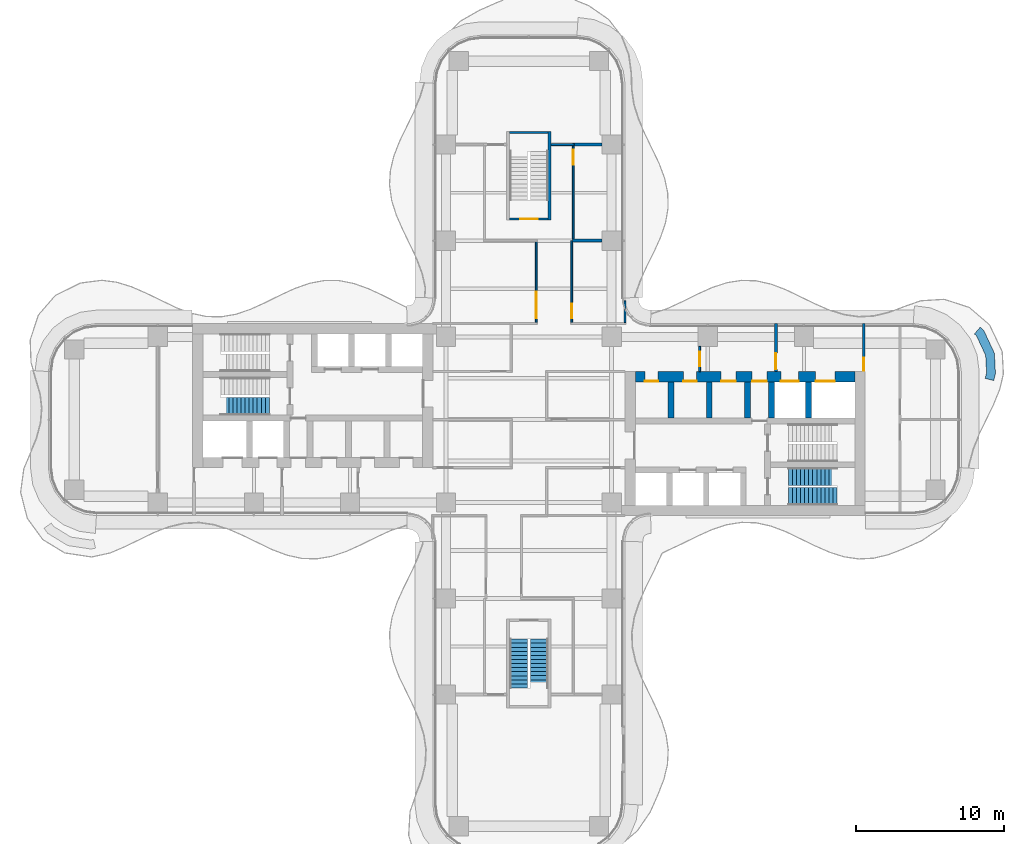
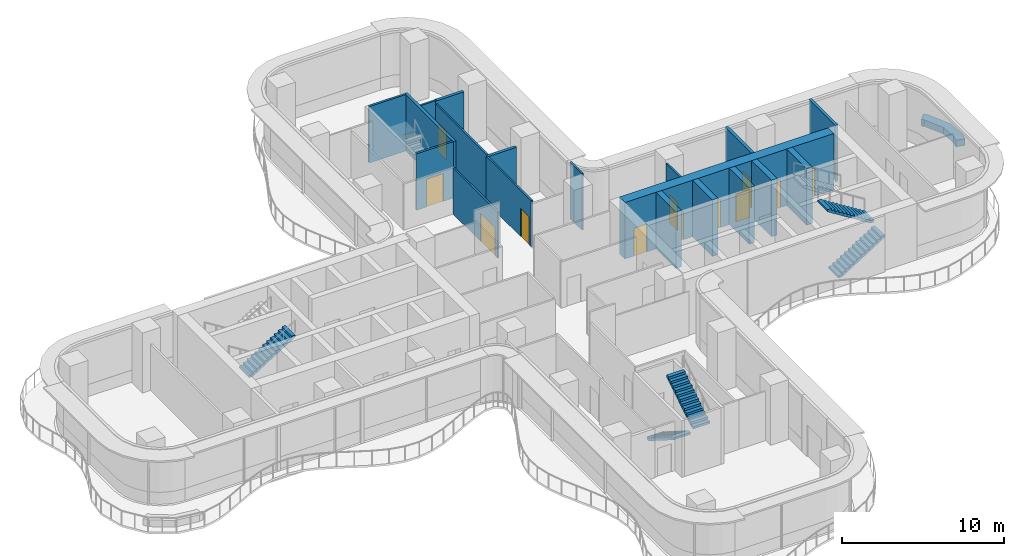
# One storey, part 18 of 21: 20 walls, 13 doors, 5 stair flights, 13 openings, 3 elements without a shape of their own.
"""IFC4 building model written with IfcOpenShell, lengths in metres."""

from ifc_helpers import new_model, si_unit, direction, frame, frame_2d, origin, place, context, subcontext, project, spatial, polyline, rectangle, outline, extrude, source, transform, mapped, material, layer, layer_set, type_object, element, fill, aggregate, save


model = new_model("IFC4")

# Units and contexts
model_context = context("Model", 3, precision=1e-05, world=origin(), true_north=direction((0.0, 1.0)))
body_context = subcontext(model_context, "Body", "Model", "MODEL_VIEW")
ifc_project = project(units=[si_unit("LENGTHUNIT", "METRE"), si_unit("AREAUNIT", "SQUARE_METRE"), si_unit("VOLUMEUNIT", "CUBIC_METRE"), si_unit("PLANEANGLEUNIT", "RADIAN"), si_unit("MASSUNIT", "GRAM", prefix="KILO")], contexts=[model_context])

# Site, building, storey
site_placement = place(None, origin())
site = spatial("IfcSite", under=ifc_project, at=site_placement, CompositionType="ELEMENT")
building_placement = place(site_placement, origin())
building = spatial("IfcBuilding", under=site, at=building_placement, Name="Trellis Farm Tower", CompositionType="ELEMENT")
storey_placement = place(building_placement, frame((0.0, 0.0, 106.5)))
storey = spatial("IfcBuildingStorey", under=building, at=storey_placement, Name="L22", CompositionType="ELEMENT", Elevation=106.5)

# Walls
ifc_material_1 = material(Name="Sandstone faced masonry planter", Category="masonry")
ifc_layer_1 = layer(ifc_material_1, 0.60009765625)
ifc_layer_set_1 = layer_set([ifc_layer_1], Name="PLANTER BED 600")
wall_type_1 = type_object("IfcWallType", Name="PLANTER BED 600", PredefinedType="USERDEFINED", material=ifc_layer_set_1)
placement = place(storey_placement, origin())
element("IfcWall", 1, at=placement, inside=storey, type_object=wall_type_1, Name="PLANTER bed", ObjectType="PLANTER", PredefinedType="USERDEFINED", context=body_context, shape_type="SweptSolid", body=[
    extrude(outline(polyline([(31.489013671875, 4.49072265625), (31.559814453125, 3.108642578125), (31.44091796875, 2.63818359375), (30.859130859375, 2.78515625), (30.955810546875, 3.168212890625), (30.895751953125, 4.343017578125), (30.273193359375, 5.674560546875), (30.1337890625, 5.79443359375), (30.525146484375, 6.249267578125), (30.76220703125, 6.04541015625), (31.489013671875, 4.49072265625)])), origin(), (0.0, 0.0, 1.0), 0.5),
])
ifc_material_2 = material(Name="Concrete C70/85", Category="concrete")
ifc_layer_2 = layer(ifc_material_2, 0.39990234375)
ifc_layer_set_2 = layer_set([ifc_layer_2], Name="CORE INNER WALL 400 CONCRETE C70/85")
wall_type_2 = type_object("IfcWallType", Name="CORE INNER WALL 400 CONCRETE C70/85", PredefinedType="SHEAR", material=ifc_layer_set_2)
shared_shape_1 = source(origin(), body_context, "Body", "SweptSolid", [
    extrude(rectangle(XDim=2.449951171875, YDim=0.39990234375, at=frame_2d((1.22509765625, 0.0))), origin(), (0.0, 0.0, 1.0), 4.25),
])
for number, where, z_axis, x_axis, name in (
    (2, (9.60009765625, 0.10009765625, 0.0), (0.0, 0.0, 1.0), (0.0, 1.0, 0.0), "Core wall"),
    (3, (12.199951171875, 0.10009765625, 0.0), (0.0, 0.0, 1.0), (0.0, 1.0, 0.0), "Core wall"),
    (4, (14.800048828125, 0.10009765625, 0.0), (0.0, 0.0, 1.0), (0.0, 1.0, 0.0), "Core wall"),
    (5, (16.39990234375, 0.10009765625, 0.0), (0.0, 0.0, 1.0), (0.0, 1.0, 0.0), "Core wall"),
    (6, (18.89990234375, 0.10009765625, 0.0), (0.0, 0.0, 1.0), (0.0, 1.0, 0.0), "Core wall"),
):
    element("IfcWall", number, at=place(storey_placement, frame(where, z_axis=z_axis, x_axis=x_axis)), inside=storey, type_object=wall_type_2, Name=name, PredefinedType="SHEAR", context=body_context, shape_type="MappedRepresentation", body=[
        mapped(shared_shape_1, transform((0.0, 0.0, 0.0))),
    ])

# Wall, opening, door
ifc_material_3 = material(Name="Masonry blockwork", Category="masonry")
ifc_layer_3 = layer(ifc_material_3, 0.199951171875)
ifc_layer_set_3 = layer_set([ifc_layer_3], Name="FIRE LOBBY PARTITION 200 BLOCKWORK")
wall_type_3 = type_object("IfcWallType", Name="FIRE LOBBY PARTITION 200 BLOCKWORK", PredefinedType="PARTITIONING", material=ifc_layer_set_3)
shared_shape_2 = source(origin(), body_context, "Body", "SweptSolid", [
    extrude(rectangle(XDim=3.25, YDim=0.199951171875, at=frame_2d((1.625, 0.0))), origin(), (0.0, 0.0, 1.0), 4.25),
])
wall_2_placement = place(storey_placement, frame((16.699951171875, 3.25, 0.0), z_axis=(0.0, 0.0, 1.0), x_axis=(0.0, 1.0, 0.0)))
wall_2 = element("IfcWall", 7, at=wall_2_placement, inside=storey, type_object=wall_type_3, Name="Fire-fighting lobby partition", PredefinedType="PARTITIONING", context=body_context, shape_type="MappedRepresentation", body=[
    mapped(shared_shape_2, transform((0.0, 0.0, 0.0))),
])
shared_shape_3 = source(origin(), body_context, "Body", "SweptSolid", [
    extrude(rectangle(XDim=1.10009765625, YDim=2.10009765625, at=frame_2d((0.550048828125, 1.050048828125))), frame((0.0, 0.110107421875, 0.0), z_axis=(0.0, -1.0, 0.0), x_axis=(1.0, 0.0, 0.0)), (0.0, 0.0, 1.0), 0.22021484375),
])
opening_1_placement = place(wall_2_placement, frame((0.14990234375, 0.0, 0.0)))
opening_1 = element("IfcOpeningElement", 8, at=opening_1_placement, cuts=wall_2, Name="Opening DC7", PredefinedType="OPENING", context=body_context, shape_type="MappedRepresentation", body=[
    mapped(shared_shape_3, transform((0.0, 0.0, 0.0))),
])
ifc_material_4 = material(Name="Steel", Category="steel")
door_type_1 = type_object("IfcDoorType", Name="CORE FIRE DOOR 1100 X 2100", OperationType="NOTDEFINED", PredefinedType="DOOR", material=ifc_material_4)
shared_shape_4 = source(origin(), body_context, "Body", "SweptSolid", [
    extrude(rectangle(XDim=1.10009765625, YDim=2.10009765625, at=frame_2d((0.550048828125, 1.050048828125))), frame((0.0, 0.02490234375, 0.0), z_axis=(0.0, -1.0, 0.0), x_axis=(1.0, 0.0, 0.0)), (0.0, 0.0, 1.0), 0.050048828125),
])
door_1_placement = place(opening_1_placement, origin())
door_1 = element("IfcDoor", 9, at=door_1_placement, inside=storey, type_object=door_type_1, Name="Core door", OperationType="SINGLE_SWING_RIGHT", OverallHeight=2.10009765625, OverallWidth=1.10009765625, PredefinedType="DOOR", context=body_context, shape_type="MappedRepresentation", body=[
    mapped(shared_shape_4, transform((0.0, 0.0, 0.0))),
])
fill(opening_1, door_1)

wall_3_placement = place(storey_placement, frame((22.64990234375, 3.25, 0.0), z_axis=(0.0, 0.0, 1.0), x_axis=(0.0, 1.0, 0.0)))
wall_3 = element("IfcWall", 10, at=wall_3_placement, inside=storey, type_object=wall_type_3, Name="Fire-fighting lobby partition", PredefinedType="PARTITIONING", context=body_context, shape_type="MappedRepresentation", body=[
    mapped(shared_shape_2, transform((0.0, 0.0, 0.0))),
])
shared_shape_5 = source(origin(), body_context, "Body", "SweptSolid", [
    extrude(rectangle(XDim=0.89990234375, YDim=2.10009765625, at=frame_2d((0.449951171875, 1.050048828125))), frame((0.0, 0.110107421875, 0.0), z_axis=(0.0, -1.0, 0.0), x_axis=(1.0, 0.0, 0.0)), (0.0, 0.0, 1.0), 0.22021484375),
])
opening_2_placement = place(wall_3_placement, frame((0.050048828125, 0.0, 0.0)))
opening_2 = element("IfcOpeningElement", 11, at=opening_2_placement, cuts=wall_3, Name="Opening DC8", PredefinedType="OPENING", context=body_context, shape_type="MappedRepresentation", body=[
    mapped(shared_shape_5, transform((0.0, 0.0, 0.0))),
])
door_type_2 = type_object("IfcDoorType", Name="CORE FIRE DOOR 900 X 2100", OperationType="NOTDEFINED", PredefinedType="DOOR", material=ifc_material_4)
shared_shape_6 = source(origin(), body_context, "Body", "SweptSolid", [
    extrude(rectangle(XDim=0.89990234375, YDim=2.10009765625, at=frame_2d((0.449951171875, 1.050048828125))), frame((0.0, 0.02490234375, 0.0), z_axis=(0.0, -1.0, 0.0), x_axis=(1.0, 0.0, 0.0)), (0.0, 0.0, 1.0), 0.050048828125),
])
door_2_placement = place(opening_2_placement, origin())
door_2 = element("IfcDoor", 12, at=door_2_placement, inside=storey, type_object=door_type_2, Name="Core door", OperationType="SINGLE_SWING_RIGHT", OverallHeight=2.10009765625, OverallWidth=0.89990234375, PredefinedType="DOOR", context=body_context, shape_type="MappedRepresentation", body=[
    mapped(shared_shape_6, transform((0.0, 0.0, 0.0))),
])
fill(opening_2, door_2)

# Wall, openings, doors
ifc_layer_4 = layer(ifc_material_2, 0.699951171875)
ifc_layer_set_4 = layer_set([ifc_layer_4], Name="CORE OUTER WALL 700 CONCRETE C70/85")
wall_type_4 = type_object("IfcWallType", Name="CORE OUTER WALL 700 CONCRETE C70/85", PredefinedType="SHEAR", material=ifc_layer_set_4)
shared_shape_7 = source(origin(), body_context, "Body", "SweptSolid", [
    extrude(rectangle(XDim=14.85009765625, YDim=0.699951171875, at=frame_2d((7.425048828125, 0.0))), origin(), (0.0, 0.0, 1.0), 4.25),
])
wall_4_placement = place(storey_placement, frame((7.199951171875, 2.89990234375, 0.0), z_axis=(0.0, 0.0, 1.0), x_axis=(1.0, 0.0, 0.0)))
wall_4 = element("IfcWall", 13, at=wall_4_placement, inside=storey, type_object=wall_type_4, Name="Core wall", PredefinedType="SHEAR", context=body_context, shape_type="MappedRepresentation", body=[
    mapped(shared_shape_7, transform((0.0, 0.0, 0.0))),
])
shared_shape_8 = source(origin(), body_context, "Body", "SweptSolid", [
    extrude(rectangle(XDim=1.300048828125, YDim=2.10009765625, at=frame_2d((0.64990234375, 1.050048828125))), frame((0.0, 0.360107421875, 0.0), z_axis=(0.0, -1.0, 0.0), x_axis=(1.0, 0.0, 0.0)), (0.0, 0.0, 1.0), 0.72021484375),
])
opening_3_placement = place(wall_4_placement, frame((12.199951171875, 0.0, 0.0)))
opening_3 = element("IfcOpeningElement", 14, at=opening_3_placement, cuts=wall_4, Name="Opening LD7", PredefinedType="OPENING", context=body_context, shape_type="MappedRepresentation", body=[
    mapped(shared_shape_8, transform((0.0, 0.0, 0.0))),
])
shared_shape_9 = source(origin(), body_context, "Body", "SweptSolid", [
    extrude(rectangle(XDim=1.199951171875, YDim=2.10009765625, at=frame_2d((0.60009765625, 1.050048828125))), frame((0.0, 0.360107421875, 0.0), z_axis=(0.0, -1.0, 0.0), x_axis=(1.0, 0.0, 0.0)), (0.0, 0.0, 1.0), 0.72021484375),
])
opening_4_placement = place(wall_4_placement, frame((9.85009765625, 0.0, 0.0)))
opening_4 = element("IfcOpeningElement", 15, at=opening_4_placement, cuts=wall_4, Name="Opening LD8", PredefinedType="OPENING", context=body_context, shape_type="MappedRepresentation", body=[
    mapped(shared_shape_9, transform((0.0, 0.0, 0.0))),
])
shared_shape_10 = source(origin(), body_context, "Body", "SweptSolid", [
    extrude(rectangle(XDim=1.0, YDim=2.10009765625, at=frame_2d((0.5, 1.050048828125))), frame((0.0, 0.360107421875, 0.0), z_axis=(0.0, -1.0, 0.0), x_axis=(1.0, 0.0, 0.0)), (0.0, 0.0, 1.0), 0.72021484375),
])
opening_5_placement = place(wall_4_placement, frame((7.89990234375, 0.0, 0.0)))
opening_5 = element("IfcOpeningElement", 16, at=opening_5_placement, cuts=wall_4, Name="Opening DC6", PredefinedType="OPENING", context=body_context, shape_type="MappedRepresentation", body=[
    mapped(shared_shape_10, transform((0.0, 0.0, 0.0))),
])
shared_shape_11 = source(origin(), body_context, "Body", "SweptSolid", [
    extrude(rectangle(XDim=0.89990234375, YDim=2.10009765625, at=frame_2d((0.449951171875, 1.050048828125))), frame((0.0, 0.360107421875, 0.0), z_axis=(0.0, -1.0, 0.0), x_axis=(1.0, 0.0, 0.0)), (0.0, 0.0, 1.0), 0.72021484375),
])
opening_6_placement = place(wall_4_placement, frame((0.64990234375, 0.0, 0.0)))
opening_6 = element("IfcOpeningElement", 17, at=opening_6_placement, cuts=wall_4, Name="Opening DC11", PredefinedType="OPENING", context=body_context, shape_type="MappedRepresentation", body=[
    mapped(shared_shape_11, transform((0.0, 0.0, 0.0))),
])
opening_7_placement = place(wall_4_placement, frame((3.25, 0.0, 0.0)))
opening_7 = element("IfcOpeningElement", 18, at=opening_7_placement, cuts=wall_4, Name="Opening DC24", PredefinedType="OPENING", context=body_context, shape_type="MappedRepresentation", body=[
    mapped(shared_shape_11, transform((0.0, 0.0, 0.0))),
])
opening_8_placement = place(wall_4_placement, frame((5.800048828125, 0.0, 0.0)))
opening_8 = element("IfcOpeningElement", 19, at=opening_8_placement, cuts=wall_4, Name="Opening DC37", PredefinedType="OPENING", context=body_context, shape_type="MappedRepresentation", body=[
    mapped(shared_shape_10, transform((0.0, 0.0, 0.0))),
])
door_type_3 = type_object("IfcDoorType", Name="CORE FIRE DOOR 1000 X 2100", OperationType="NOTDEFINED", PredefinedType="DOOR", material=ifc_material_4)
shared_shape_12 = source(origin(), body_context, "Body", "SweptSolid", [
    extrude(rectangle(XDim=1.0, YDim=2.10009765625, at=frame_2d((0.5, 1.050048828125))), frame((0.0, -0.27490234375, 0.0), z_axis=(0.0, -1.0, 0.0), x_axis=(1.0, 0.0, 0.0)), (0.0, 0.0, 1.0), 0.050048828125),
])
door_3_placement = place(opening_5_placement, origin())
door_3 = element("IfcDoor", 20, at=door_3_placement, inside=storey, type_object=door_type_3, Name="Core door", OperationType="SINGLE_SWING_LEFT", OverallHeight=2.10009765625, OverallWidth=1.0, PredefinedType="DOOR", context=body_context, shape_type="MappedRepresentation", body=[
    mapped(shared_shape_12, transform((0.0, 0.0, 0.0))),
])
fill(opening_5, door_3)
door_4_placement = place(opening_8_placement, origin())
door_4 = element("IfcDoor", 21, at=door_4_placement, inside=storey, type_object=door_type_3, Name="Core door", OperationType="SINGLE_SWING_LEFT", OverallHeight=2.10009765625, OverallWidth=1.0, PredefinedType="DOOR", context=body_context, shape_type="MappedRepresentation", body=[
    mapped(shared_shape_12, transform((0.0, 0.0, 0.0))),
])
fill(opening_8, door_4)
shared_shape_13 = source(origin(), body_context, "Body", "SweptSolid", [
    extrude(rectangle(XDim=0.89990234375, YDim=2.10009765625, at=frame_2d((0.449951171875, 1.050048828125))), frame((0.0, -0.27490234375, 0.0), z_axis=(0.0, -1.0, 0.0), x_axis=(1.0, 0.0, 0.0)), (0.0, 0.0, 1.0), 0.050048828125),
])
door_5_placement = place(opening_6_placement, origin())
door_5 = element("IfcDoor", 22, at=door_5_placement, inside=storey, type_object=door_type_2, Name="Core door", OperationType="SINGLE_SWING_LEFT", OverallHeight=2.10009765625, OverallWidth=0.89990234375, PredefinedType="DOOR", context=body_context, shape_type="MappedRepresentation", body=[
    mapped(shared_shape_13, transform((0.0, 0.0, 0.0))),
])
fill(opening_6, door_5)
door_6_placement = place(opening_7_placement, origin())
door_6 = element("IfcDoor", 23, at=door_6_placement, inside=storey, type_object=door_type_2, Name="Core door", OperationType="SINGLE_SWING_RIGHT", OverallHeight=2.10009765625, OverallWidth=0.89990234375, PredefinedType="DOOR", context=body_context, shape_type="MappedRepresentation", body=[
    mapped(shared_shape_13, transform((0.0, 0.0, 0.0))),
])
fill(opening_7, door_6)
ifc_material_5 = material(Name="Stainless steel", Category="steel")
door_type_4 = type_object("IfcDoorType", Name="LIFT LANDING DOOR 1300 X 2100", OperationType="DOUBLE_DOOR_SLIDING", PredefinedType="DOOR", material=ifc_material_5)
shared_shape_14 = source(origin(), body_context, "Body", "SweptSolid", [
    extrude(rectangle(XDim=1.300048828125, YDim=2.10009765625, at=frame_2d((0.64990234375, 1.050048828125))), frame((0.0, -0.27490234375, 0.0), z_axis=(0.0, -1.0, 0.0), x_axis=(1.0, 0.0, 0.0)), (0.0, 0.0, 1.0), 0.050048828125),
])
door_7_placement = place(opening_3_placement, origin())
door_7 = element("IfcDoor", 24, at=door_7_placement, inside=storey, type_object=door_type_4, Name="Lift landing door", OperationType="DOUBLE_DOOR_SLIDING", OverallHeight=2.10009765625, OverallWidth=1.300048828125, PredefinedType="DOOR", context=body_context, shape_type="MappedRepresentation", body=[
    mapped(shared_shape_14, transform((0.0, 0.0, 0.0))),
])
fill(opening_3, door_7)
door_type_5 = type_object("IfcDoorType", Name="LIFT LANDING DOOR 1200 X 2100", OperationType="DOUBLE_DOOR_SLIDING", PredefinedType="DOOR", material=ifc_material_5)
shared_shape_15 = source(origin(), body_context, "Body", "SweptSolid", [
    extrude(rectangle(XDim=1.199951171875, YDim=2.10009765625, at=frame_2d((0.60009765625, 1.050048828125))), frame((0.0, -0.27490234375, 0.0), z_axis=(0.0, -1.0, 0.0), x_axis=(1.0, 0.0, 0.0)), (0.0, 0.0, 1.0), 0.050048828125),
])
door_8_placement = place(opening_4_placement, origin())
door_8 = element("IfcDoor", 25, at=door_8_placement, inside=storey, type_object=door_type_5, Name="Lift landing door", OperationType="DOUBLE_DOOR_SLIDING", OverallHeight=2.10009765625, OverallWidth=1.199951171875, PredefinedType="DOOR", context=body_context, shape_type="MappedRepresentation", body=[
    mapped(shared_shape_15, transform((0.0, 0.0, 0.0))),
])
fill(opening_4, door_8)

# Wall
ifc_layer_5 = layer(ifc_material_2, 0.199951171875)
ifc_layer_set_5 = layer_set([ifc_layer_5], Name="CORE STAIR ENCLOSURE WALL 200 CONCRETE C70/85")
wall_type_5 = type_object("IfcWallType", Name="CORE STAIR ENCLOSURE WALL 200 CONCRETE C70/85", PredefinedType="SHEAR", material=ifc_layer_set_5)
shared_shape_16 = source(origin(), body_context, "Body", "SweptSolid", [
    extrude(rectangle(XDim=6.0, YDim=0.199951171875, at=frame_2d((3.0, 0.0))), origin(), (0.0, 0.0, 1.0), 4.25),
])
wall_5_placement = place(storey_placement, frame((1.39990234375, 13.5, 0.0), z_axis=(0.0, 0.0, 1.0), x_axis=(0.0, 1.0, 0.0)))
element("IfcWall", 26, at=wall_5_placement, inside=storey, type_object=wall_type_5, Name="Stair enclosure wall", PredefinedType="SHEAR", context=body_context, shape_type="MappedRepresentation", body=[
    mapped(shared_shape_16, transform((0.0, 0.0, 0.0))),
])

# Wall, opening, door
ifc_layer_6 = layer(ifc_material_2, 0.14990234375)
ifc_layer_set_6 = layer_set([ifc_layer_6], Name="CORE STAIR ENCLOSURE WALL 150 CONCRETE C70/85")
wall_type_6 = type_object("IfcWallType", Name="CORE STAIR ENCLOSURE WALL 150 CONCRETE C70/85", PredefinedType="SHEAR", material=ifc_layer_set_6)
shared_shape_17 = source(origin(), body_context, "Body", "SweptSolid", [
    extrude(rectangle(XDim=2.60009765625, YDim=0.14990234375, at=frame_2d((1.300048828125, 0.0))), origin(), (0.0, 0.0, 1.0), 4.25),
])
wall_6_placement = place(storey_placement, frame((-1.300048828125, 13.574951171875, 0.0), z_axis=(0.0, 0.0, 1.0), x_axis=(1.0, 0.0, 0.0)))
wall_6 = element("IfcWall", 27, at=wall_6_placement, inside=storey, type_object=wall_type_6, Name="Stair enclosure wall", PredefinedType="SHEAR", context=body_context, shape_type="MappedRepresentation", body=[
    mapped(shared_shape_17, transform((0.0, 0.0, 0.0))),
])
shared_shape_18 = source(origin(), body_context, "Body", "SweptSolid", [
    extrude(rectangle(XDim=1.199951171875, YDim=2.10009765625, at=frame_2d((0.60009765625, 1.050048828125))), frame((0.0, 0.0849609375, 0.0), z_axis=(0.0, -1.0, 0.0), x_axis=(1.0, 0.0, 0.0)), (0.0, 0.0, 1.0), 0.169921875),
])
opening_9_placement = place(wall_6_placement, frame((0.699951171875, 0.0, 0.0)))
opening_9 = element("IfcOpeningElement", 28, at=opening_9_placement, cuts=wall_6, Name="Opening DC173", PredefinedType="OPENING", context=body_context, shape_type="MappedRepresentation", body=[
    mapped(shared_shape_18, transform((0.0, 0.0, 0.0))),
])
door_type_6 = type_object("IfcDoorType", Name="CORE FIRE DOOR 1200 X 2100", OperationType="NOTDEFINED", PredefinedType="DOOR", material=ifc_material_4)
shared_shape_19 = source(origin(), body_context, "Body", "SweptSolid", [
    extrude(rectangle(XDim=1.199951171875, YDim=2.10009765625, at=frame_2d((0.60009765625, 1.050048828125))), frame((0.0, 0.02490234375, 0.0), z_axis=(0.0, -1.0, 0.0), x_axis=(1.0, 0.0, 0.0)), (0.0, 0.0, 1.0), 0.050048828125),
])
door_9_placement = place(opening_9_placement, origin())
door_9 = element("IfcDoor", 29, at=door_9_placement, inside=storey, type_object=door_type_6, Name="Core door", OperationType="SINGLE_SWING_LEFT", OverallHeight=2.10009765625, OverallWidth=1.199951171875, PredefinedType="DOOR", context=body_context, shape_type="MappedRepresentation", body=[
    mapped(shared_shape_19, transform((0.0, 0.0, 0.0))),
])
fill(opening_9, door_9)

# Wall
wall_7_placement = place(storey_placement, frame((-1.300048828125, 19.425048828125, 0.0), z_axis=(0.0, 0.0, 1.0), x_axis=(1.0, 0.0, 0.0)))
element("IfcWall", 30, at=wall_7_placement, inside=storey, type_object=wall_type_6, Name="Stair enclosure wall", PredefinedType="SHEAR", context=body_context, shape_type="MappedRepresentation", body=[
    mapped(shared_shape_17, transform((0.0, 0.0, 0.0))),
])

# Wall, opening, door
ifc_material_6 = material(Name="Plasterboard on steel studs, mineral wool", Category="steel")
ifc_layer_7 = layer(ifc_material_6, 0.125)
ifc_layer_set_7 = layer_set([ifc_layer_7], Name="PARTITION 125 STUD EI 60")
wall_type_7 = type_object("IfcWallType", Name="PARTITION 125 STUD EI 60", PredefinedType="PARTITIONING", material=ifc_layer_set_7)
shared_shape_20 = source(origin(), body_context, "Body", "SweptSolid", [
    extrude(rectangle(XDim=5.47509765625, YDim=0.125, at=frame_2d((2.737548828125, 0.0))), origin(), (0.0, 0.0, 1.0), 3.4677734375),
])
wall_8_placement = place(storey_placement, frame((0.5, 12.03759765625, 0.0), z_axis=(0.0, 0.0, 1.0), x_axis=(0.0, -1.0, 0.0)))
wall_8 = element("IfcWall", 31, at=wall_8_placement, inside=storey, type_object=wall_type_7, Name="Partition PW1", PredefinedType="PARTITIONING", context=body_context, shape_type="MappedRepresentation", body=[
    mapped(shared_shape_20, transform((0.0, 0.0, 0.0))),
])
shared_shape_21 = source(origin(), body_context, "Body", "SweptSolid", [
    extrude(rectangle(XDim=1.800048828125, YDim=2.10009765625, at=frame_2d((0.89990234375, 1.050048828125))), frame((0.0, 0.072509765625, 0.0), z_axis=(0.0, -1.0, 0.0), x_axis=(1.0, 0.0, 0.0)), (0.0, 0.0, 1.0), 0.14501953125),
])
opening_10_placement = place(wall_8_placement, frame((3.387451171875, 0.0, 0.0)))
opening_10 = element("IfcOpeningElement", 32, at=opening_10_placement, cuts=wall_8, Name="Opening D201", PredefinedType="OPENING", context=body_context, shape_type="MappedRepresentation", body=[
    mapped(shared_shape_21, transform((0.0, 0.0, 0.0))),
])
ifc_material_7 = material(Name="Fire-rated timber door leaf in a hollow metal frame", Category="wood")
door_type_7 = type_object("IfcDoorType", Name="DOOR PAIR 1800x2100 FD30S", OperationType="NOTDEFINED", PredefinedType="DOOR", material=ifc_material_7)
shared_shape_22 = source(origin(), body_context, "Body", "SweptSolid", [
    extrude(rectangle(XDim=1.800048828125, YDim=2.10009765625, at=frame_2d((0.89990234375, 1.050048828125))), frame((0.0, 0.02490234375, 0.0), z_axis=(0.0, -1.0, 0.0), x_axis=(1.0, 0.0, 0.0)), (0.0, 0.0, 1.0), 0.050048828125),
])
door_10_placement = place(opening_10_placement, origin())
door_10 = element("IfcDoor", 33, at=door_10_placement, inside=storey, type_object=door_type_7, Name="Door D201", OperationType="DOUBLE_DOOR_SINGLE_SWING", OverallHeight=2.10009765625, OverallWidth=1.800048828125, PredefinedType="DOOR", context=body_context, shape_type="MappedRepresentation", body=[
    mapped(shared_shape_22, transform((0.0, 0.0, 0.0))),
])
fill(opening_10, door_10)

# Wall
shared_shape_23 = source(origin(), body_context, "Body", "SweptSolid", [
    extrude(rectangle(XDim=1.468994140625, YDim=0.125, at=frame_2d((0.734375, 0.0))), origin(), (0.0, 0.0, 1.0), 4.25),
])
wall_9_placement = place(storey_placement, frame((6.5, 6.5625, 0.0), z_axis=(0.0, 0.0, 1.0), x_axis=(0.0, 1.0, 0.0)))
element("IfcWall", 34, at=wall_9_placement, inside=storey, type_object=wall_type_7, Name="Partition PW1", PredefinedType="PARTITIONING", context=body_context, shape_type="MappedRepresentation", body=[
    mapped(shared_shape_23, transform((0.0, 0.0, 0.0))),
])

# Wall, opening, door
shared_shape_24 = source(origin(), body_context, "Body", "SweptSolid", [
    extrude(rectangle(XDim=6.300048828125, YDim=0.125, at=frame_2d((3.14990234375, 0.0))), origin(), (0.0, 0.0, 1.0), 3.4677734375),
])
wall_10_placement = place(storey_placement, frame((3.0, 18.5, 0.0), z_axis=(0.0, 0.0, 1.0), x_axis=(0.0, -1.0, 0.0)))
wall_10 = element("IfcWall", 35, at=wall_10_placement, inside=storey, type_object=wall_type_7, Name="Partition PW1", PredefinedType="PARTITIONING", context=body_context, shape_type="MappedRepresentation", body=[
    mapped(shared_shape_24, transform((0.0, 0.0, 0.0))),
])
shared_shape_25 = source(origin(), body_context, "Body", "SweptSolid", [
    extrude(rectangle(XDim=1.0, YDim=2.10009765625, at=frame_2d((0.5, 1.050048828125))), frame((0.0, 0.072509765625, 0.0), z_axis=(0.0, -1.0, 0.0), x_axis=(1.0, 0.0, 0.0)), (0.0, 0.0, 1.0), 0.14501953125),
])
opening_11_placement = place(wall_10_placement, frame((0.25, 0.0, 0.0)))
opening_11 = element("IfcOpeningElement", 36, at=opening_11_placement, cuts=wall_10, Name="Opening D304", PredefinedType="OPENING", context=body_context, shape_type="MappedRepresentation", body=[
    mapped(shared_shape_25, transform((0.0, 0.0, 0.0))),
])
door_type_8 = type_object("IfcDoorType", Name="DOOR 1000x2100 FD60", OperationType="NOTDEFINED", PredefinedType="DOOR", material=ifc_material_7)
shared_shape_26 = source(origin(), body_context, "Body", "SweptSolid", [
    extrude(rectangle(XDim=1.0, YDim=2.10009765625, at=frame_2d((0.5, 1.050048828125))), frame((0.0, 0.02490234375, 0.0), z_axis=(0.0, -1.0, 0.0), x_axis=(1.0, 0.0, 0.0)), (0.0, 0.0, 1.0), 0.050048828125),
])
door_11_placement = place(opening_11_placement, origin())
door_11 = element("IfcDoor", 37, at=door_11_placement, inside=storey, type_object=door_type_8, Name="Door D304", OperationType="SINGLE_SWING_LEFT", OverallHeight=2.10009765625, OverallWidth=1.0, PredefinedType="DOOR", context=body_context, shape_type="MappedRepresentation", body=[
    mapped(shared_shape_26, transform((0.0, 0.0, 0.0))),
])
fill(opening_11, door_11)

# Wall
shared_shape_27 = source(origin(), body_context, "Body", "SweptSolid", [
    extrude(rectangle(XDim=1.5625, YDim=0.125, at=frame_2d((0.78125, 0.0))), origin(), (0.0, 0.0, 1.0), 3.697021484375),
])
wall_11_placement = place(storey_placement, frame((1.5, 18.60009765625, 0.0), z_axis=(0.0, 0.0, 1.0), x_axis=(1.0, 0.0, 0.0)))
element("IfcWall", 38, at=wall_11_placement, inside=storey, type_object=wall_type_7, Name="Partition PW1", PredefinedType="PARTITIONING", context=body_context, shape_type="MappedRepresentation", body=[
    mapped(shared_shape_27, transform((0.0, 0.0, 0.0))),
])

# Wall, opening, door
shared_shape_28 = source(origin(), body_context, "Body", "SweptSolid", [
    extrude(rectangle(XDim=5.53759765625, YDim=0.125, at=frame_2d((2.768798828125, 0.0))), origin(), (0.0, 0.0, 1.0), 3.4677734375),
])
wall_12_placement = place(storey_placement, frame((2.89990234375, 12.10009765625, 0.0), z_axis=(0.0, 0.0, 1.0), x_axis=(0.0, -1.0, 0.0)))
wall_12 = element("IfcWall", 39, at=wall_12_placement, inside=storey, type_object=wall_type_7, Name="Partition PW1", PredefinedType="PARTITIONING", context=body_context, shape_type="MappedRepresentation", body=[
    mapped(shared_shape_28, transform((0.0, 0.0, 0.0))),
])
opening_12_placement = place(wall_12_placement, frame((4.25, 0.0, 0.0)))
opening_12 = element("IfcOpeningElement", 40, at=opening_12_placement, cuts=wall_12, Name="Opening D109", PredefinedType="OPENING", context=body_context, shape_type="MappedRepresentation", body=[
    mapped(shared_shape_25, transform((0.0, 0.0, 0.0))),
])
door_type_9 = type_object("IfcDoorType", Name="DOOR 1000x2100 FD30S", OperationType="NOTDEFINED", PredefinedType="DOOR", material=ifc_material_7)
door_12_placement = place(opening_12_placement, origin())
door_12 = element("IfcDoor", 41, at=door_12_placement, inside=storey, type_object=door_type_9, Name="Door D109", OperationType="SINGLE_SWING_RIGHT", OverallHeight=2.10009765625, OverallWidth=1.0, PredefinedType="DOOR", context=body_context, shape_type="MappedRepresentation", body=[
    mapped(shared_shape_26, transform((0.0, 0.0, 0.0))),
])
fill(opening_12, door_12)

shared_shape_29 = source(origin(), body_context, "Body", "SweptSolid", [
    extrude(rectangle(XDim=1.699951171875, YDim=0.125, at=frame_2d((0.85009765625, 0.0))), origin(), (0.0, 0.0, 1.0), 4.25),
])
wall_13_placement = place(storey_placement, frame((11.550048828125, 3.25, 0.0), z_axis=(0.0, 0.0, 1.0), x_axis=(0.0, 1.0, 0.0)))
wall_13 = element("IfcWall", 42, at=wall_13_placement, inside=storey, type_object=wall_type_7, Name="Partition PW1", PredefinedType="PARTITIONING", context=body_context, shape_type="MappedRepresentation", body=[
    mapped(shared_shape_29, transform((0.0, 0.0, 0.0))),
])
opening_13_placement = place(wall_13_placement, frame((0.35009765625, 0.0, 0.0)))
opening_13 = element("IfcOpeningElement", 43, at=opening_13_placement, cuts=wall_13, Name="Opening D303", PredefinedType="OPENING", context=body_context, shape_type="MappedRepresentation", body=[
    mapped(shared_shape_25, transform((0.0, 0.0, 0.0))),
])
door_13_placement = place(opening_13_placement, origin())
door_13 = element("IfcDoor", 44, at=door_13_placement, inside=storey, type_object=door_type_8, Name="Door D303", OperationType="SINGLE_SWING_LEFT", OverallHeight=2.10009765625, OverallWidth=1.0, PredefinedType="DOOR", context=body_context, shape_type="MappedRepresentation", body=[
    mapped(shared_shape_26, transform((0.0, 0.0, 0.0))),
])
fill(opening_13, door_13)

# Walls
ifc_material_8 = material(Name="Lightweight blockwork, plastered", Category="masonry")
ifc_layer_8 = layer(ifc_material_8, 0.199951171875)
ifc_layer_set_8 = layer_set([ifc_layer_8], Name="BLOCK WALL 200 EI 120")
wall_type_8 = type_object("IfcWallType", Name="BLOCK WALL 200 EI 120", PredefinedType="PARTITIONING", material=ifc_layer_set_8)
shared_shape_30 = source(origin(), body_context, "Body", "SweptSolid", [
    extrude(rectangle(XDim=2.012451171875, YDim=0.199951171875, at=frame_2d((1.00634765625, 0.0))), origin(), (0.0, 0.0, 1.0), 3.697021484375),
])
wall_14_placement = place(storey_placement, frame((2.9375, 18.60009765625, 0.0), z_axis=(0.0, 0.0, 1.0), x_axis=(1.0, 0.0, 0.0)))
element("IfcWall", 45, at=wall_14_placement, inside=storey, type_object=wall_type_8, Name="Partition PW3", PredefinedType="PARTITIONING", context=body_context, shape_type="MappedRepresentation", body=[
    mapped(shared_shape_30, transform((0.0, 0.0, 0.0))),
])
shared_shape_31 = source(origin(), body_context, "Body", "SweptSolid", [
    extrude(rectangle(XDim=2.012451171875, YDim=0.199951171875, at=frame_2d((1.00634765625, 0.0))), origin(), (0.0, 0.0, 1.0), 3.4677734375),
])
wall_15_placement = place(storey_placement, frame((2.9375, 12.10009765625, 0.0), z_axis=(0.0, 0.0, 1.0), x_axis=(1.0, 0.0, 0.0)))
element("IfcWall", 46, at=wall_15_placement, inside=storey, type_object=wall_type_8, Name="Partition PW3", PredefinedType="PARTITIONING", context=body_context, shape_type="MappedRepresentation", body=[
    mapped(shared_shape_31, transform((0.0, 0.0, 0.0))),
])

# Stair, stair flights
ifc_material_9 = material(Name="Concrete C50/60", Category="concrete")
stair_type = type_object("IfcStairType", Name="CORE EXIT STAIR 26 RISERS 173 MM", PredefinedType="HALF_TURN_STAIR", material=ifc_material_9)
stair_1 = element("IfcStair", 47, at=placement, inside=storey, type_object=stair_type, Name="Exit stair S", PredefinedType="HALF_TURN_STAIR")
stair_flight_type = type_object("IfcStairFlightType", Name="STAIR FLIGHT 13 RISERS 173 MM", PredefinedType="STRAIGHT", material=ifc_material_9)
shared_shape_32 = source(origin(), body_context, "Body", "SweptSolid", [
    extrude(outline(polyline([(0.0, 0.0), (0.0, 0.173095703125), (0.27490234375, 0.173095703125), (0.27490234375, 0.34619140625), (0.550048828125, 0.34619140625), (0.550048828125, 0.519287109375), (0.824951171875, 0.519287109375), (0.824951171875, 0.6923828125), (1.10009765625, 0.6923828125), (1.10009765625, 0.865478515625), (1.375, 0.865478515625), (1.375, 1.03857421875), (1.64990234375, 1.03857421875), (1.64990234375, 1.21142578125), (1.925048828125, 1.21142578125), (1.925048828125, 1.384521484375), (2.199951171875, 1.384521484375), (2.199951171875, 1.5576171875), (2.47509765625, 1.5576171875), (2.47509765625, 1.730712890625), (2.75, 1.730712890625), (2.75, 1.90380859375), (3.02490234375, 1.90380859375), (3.02490234375, 2.076904296875), (3.300048828125, 2.076904296875), (3.300048828125, 2.25), (3.300048828125, 1.92333984375), (0.243896484375, 0.0), (0.0, 0.0)])), frame((0.0, 0.60009765625, 0.0), z_axis=(0.0, -1.0, 0.0), x_axis=(1.0, 0.0, 0.0)), (0.0, 0.0, 1.0), 1.199951171875),
])
stair_flight_1_placement = place(storey_placement, frame((-0.699951171875, -14.85009765625, 0.0), z_axis=(0.0, 0.0, 1.0), x_axis=(0.0, -1.0, 0.0)))
stair_flight_1 = element("IfcStairFlight", 48, at=stair_flight_1_placement, type_object=stair_flight_type, Name="STS flight 1", NumberOfRisers=13, NumberOfTreads=12, PredefinedType="STRAIGHT", RiserHeight=0.173076923, TreadLength=0.275, context=body_context, shape_type="MappedRepresentation", body=[
    mapped(shared_shape_32, transform((0.0, 0.0, 0.0))),
])
stair_flight_2_placement = place(storey_placement, frame((0.699951171875, -18.14990234375, 2.25), z_axis=(0.0, 0.0, 1.0), x_axis=(0.0, 1.0, 0.0)))
stair_flight_2 = element("IfcStairFlight", 49, at=stair_flight_2_placement, type_object=stair_flight_type, Name="STS flight 2", NumberOfRisers=13, NumberOfTreads=12, PredefinedType="STRAIGHT", RiserHeight=0.173076923, TreadLength=0.275, context=body_context, shape_type="MappedRepresentation", body=[
    mapped(shared_shape_32, transform((0.0, 0.0, 0.0))),
])
aggregate(stair_1, [stair_flight_1, stair_flight_2])

stair_2 = element("IfcStair", 50, at=placement, inside=storey, type_object=stair_type, Name="Exit stair E1", PredefinedType="HALF_TURN_STAIR")
stair_flight_3_placement = place(storey_placement, frame((17.550048828125, -5.199951171875, 0.0), z_axis=(0.0, 0.0, 1.0), x_axis=(1.0, 0.0, 0.0)))
stair_flight_3 = element("IfcStairFlight", 51, at=stair_flight_3_placement, type_object=stair_flight_type, Name="STE1 flight 1", NumberOfRisers=13, NumberOfTreads=12, PredefinedType="STRAIGHT", RiserHeight=0.173076923, TreadLength=0.275, context=body_context, shape_type="MappedRepresentation", body=[
    mapped(shared_shape_32, transform((0.0, 0.0, 0.0))),
])
stair_flight_4_placement = place(storey_placement, frame((20.85009765625, -3.85009765625, 2.25), z_axis=(0.0, 0.0, 1.0), x_axis=(-1.0, 0.0, 0.0)))
stair_flight_4 = element("IfcStairFlight", 52, at=stair_flight_4_placement, type_object=stair_flight_type, Name="STE1 flight 2", NumberOfRisers=13, NumberOfTreads=12, PredefinedType="STRAIGHT", RiserHeight=0.173076923, TreadLength=0.275, context=body_context, shape_type="MappedRepresentation", body=[
    mapped(shared_shape_32, transform((0.0, 0.0, 0.0))),
])
aggregate(stair_2, [stair_flight_3, stair_flight_4])

# Stair, stair flight
stair_3 = element("IfcStair", 53, at=placement, inside=storey, type_object=stair_type, Name="Exit stair W2", PredefinedType="HALF_TURN_STAIR")
stair_flight_5_placement = place(storey_placement, frame((-20.85009765625, 0.89990234375, 2.25), z_axis=(0.0, 0.0, 1.0), x_axis=(1.0, 0.0, 0.0)))
stair_flight_5 = element("IfcStairFlight", 54, at=stair_flight_5_placement, type_object=stair_flight_type, Name="STW2 flight 2", NumberOfRisers=13, NumberOfTreads=12, PredefinedType="STRAIGHT", RiserHeight=0.173076923, TreadLength=0.275, context=body_context, shape_type="MappedRepresentation", body=[
    mapped(shared_shape_32, transform((0.0, 0.0, 0.0))),
])
aggregate(stair_3, [stair_flight_5])

save(model, "model.ifc")
